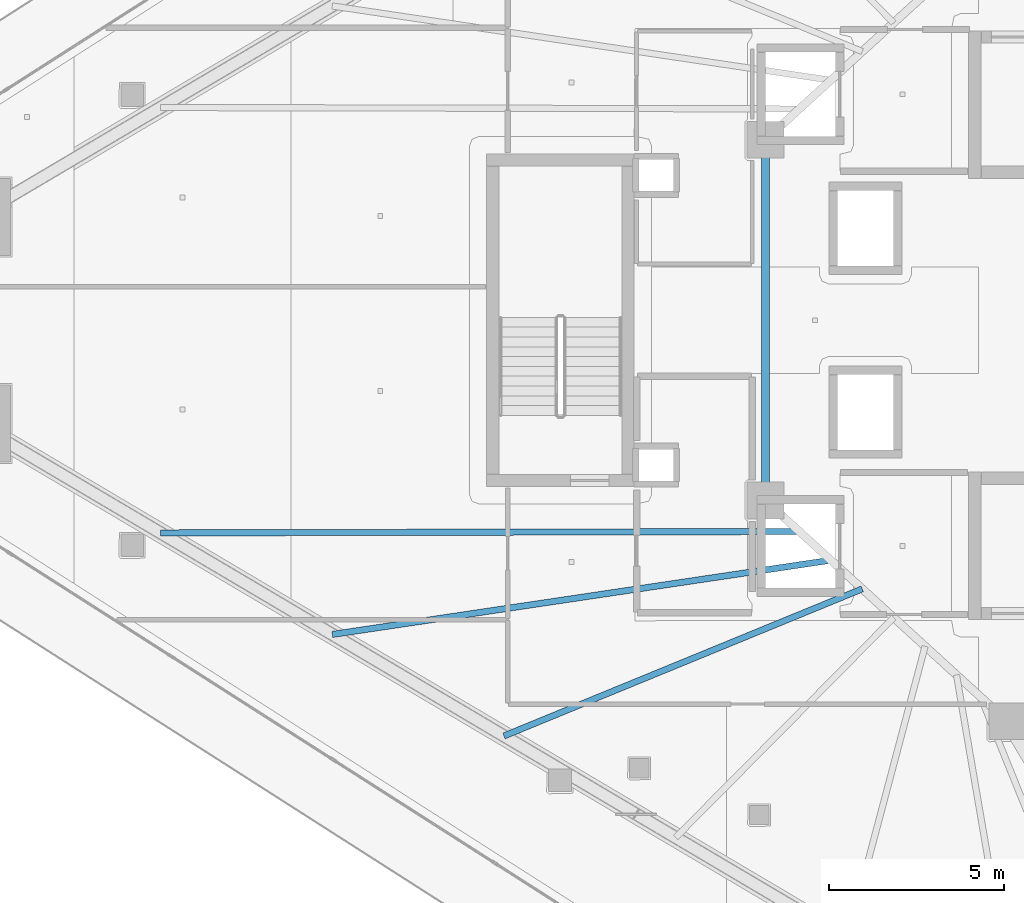
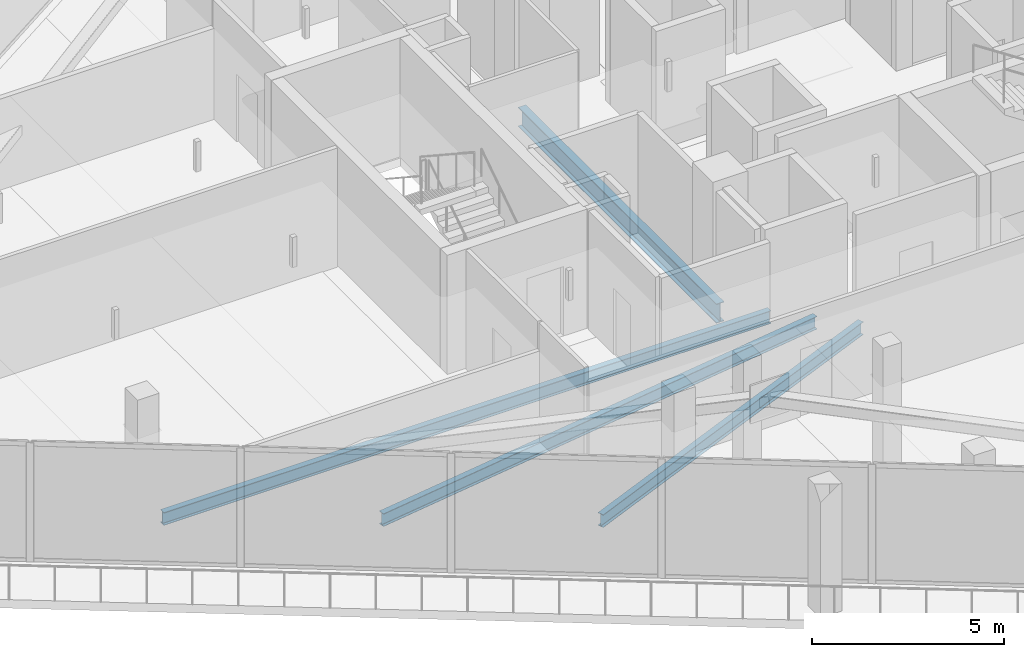
# One storey, part 7 of 43: 4 beams.
"""IFC4 building model written with IfcOpenShell, lengths in metres."""

from ifc_helpers import new_model, si_unit, direction, frame, origin, origin_2d, place, context, subcontext, project, spatial, i_section, extrude, material, material_profile, profile_set, type_object, element, save


model = new_model("IFC4")

# Units and contexts
model_context = context("Model", 3, precision=1e-05, world=origin(), true_north=direction((0.0, 1.0)))
body_context = subcontext(model_context, "Body", "Model", "MODEL_VIEW")
ifc_project = project(units=[si_unit("LENGTHUNIT", "METRE"), si_unit("AREAUNIT", "SQUARE_METRE"), si_unit("VOLUMEUNIT", "CUBIC_METRE"), si_unit("PLANEANGLEUNIT", "RADIAN"), si_unit("MASSUNIT", "GRAM", prefix="KILO")], contexts=[model_context])

# Site, building, storey
site_placement = place(None, origin())
site = spatial("IfcSite", under=ifc_project, at=site_placement, CompositionType="ELEMENT")
building_placement = place(site_placement, origin())
building = spatial("IfcBuilding", under=site, at=building_placement, Name="Qorvath Tower", CompositionType="ELEMENT")
storey_placement = place(building_placement, frame((0.0, 0.0, 150.300048828125)))
storey = spatial("IfcBuildingStorey", under=building, at=storey_placement, Name="L34", CompositionType="ELEMENT", Elevation=150.300048828125)

# Beams
ifc_material_1 = material(Name="Steel ASTM A992 Grade 50", Category="steel")
ifc_material_profile_1 = material_profile(ifc_material_1, i_section(OverallWidth=0.22998046875, OverallDepth=0.616943359375, WebThickness=0.01318359375, FlangeThickness=0.022216796875, FilletRadius=0.014892578125, at=origin_2d()), Name="W24x94")
ifc_profile_set_1 = profile_set([ifc_material_profile_1], Name="Steel ASTM A992 Grade 50")
beam_type_1 = type_object("IfcBeamType", Name="BM-FG6", PredefinedType="BEAM", material=ifc_profile_set_1)
beam_1_placement = place(storey_placement, frame((-30.5, -5.14990234375, -0.57861328125), z_axis=(0.0, 1.0, 0.0), x_axis=(-1.0, 0.0, 0.0)))
element("IfcBeam", 1, at=beam_1_placement, inside=storey, type_object=beam_type_1, Name="Core Ring Girder CC6-CC5 L34", PredefinedType="BEAM", context=body_context, shape_type="SweptSolid", body=[
    extrude(i_section(OverallWidth=0.22998046875, OverallDepth=0.616943359375, WebThickness=0.01318359375, FlangeThickness=0.022216796875, FilletRadius=0.014892578125, at=origin_2d()), origin(), (0.0, 0.0, 1.0), 10.2998046875),
])
ifc_material_2 = material(Name="Steel ASTM A992 Grade 50", Category="steel")
ifc_material_profile_2 = material_profile(ifc_material_2, i_section(OverallWidth=0.177978515625, OverallDepth=0.406005859375, WebThickness=0.0078125, FlangeThickness=0.0126953125, FilletRadius=0.010986328125, at=origin_2d()), Name="W16x40")
ifc_profile_set_2 = profile_set([ifc_material_profile_2], Name="Steel ASTM A992 Grade 50")
beam_type_2 = type_object("IfcBeamType", Name="BM-FJ3", PredefinedType="JOIST", material=ifc_profile_set_2)
beam_2_placement = place(storey_placement, frame((-29.533935546875, -6.031982421875, -0.47314453125), z_axis=(-0.999997589883, -0.002195501951, 0.0), x_axis=(0.002195501951, -0.999997589883, 0.0)))
element("IfcBeam", 2, at=beam_2_placement, inside=storey, type_object=beam_type_2, Name="Composite Floor Joist SW1 L34", PredefinedType="JOIST", context=body_context, shape_type="SweptSolid", body=[
    extrude(i_section(OverallWidth=0.177978515625, OverallDepth=0.406005859375, WebThickness=0.0078125, FlangeThickness=0.0126953125, FilletRadius=0.010986328125, at=origin_2d()), origin(), (0.0, 0.0, 1.0), 18.23681640625),
])
beam_3_placement = place(storey_placement, frame((-28.636962890625, -6.85107421875, -0.47314453125), z_axis=(-0.989092860328, -0.147293291256, 0.0), x_axis=(0.147293291256, -0.989092860328, 0.0)))
element("IfcBeam", 3, at=beam_3_placement, inside=storey, type_object=beam_type_2, Name="Composite Floor Joist SW2 L34", PredefinedType="JOIST", context=body_context, shape_type="SweptSolid", body=[
    extrude(i_section(OverallWidth=0.177978515625, OverallDepth=0.406005859375, WebThickness=0.0078125, FlangeThickness=0.0126953125, FilletRadius=0.010986328125, at=origin_2d()), origin(), (0.0, 0.0, 1.0), 14.388916015625),
])
beam_4_placement = place(storey_placement, frame((-27.739990234375, -7.669921875, -0.47314453125), z_axis=(-0.925068176006, -0.379801092338, 0.0), x_axis=(0.379801092338, -0.925068176006, 0.0)))
element("IfcBeam", 4, at=beam_4_placement, inside=storey, type_object=beam_type_2, Name="Composite Floor Joist SW3 L34", PredefinedType="JOIST", context=body_context, shape_type="SweptSolid", body=[
    extrude(i_section(OverallWidth=0.177978515625, OverallDepth=0.406005859375, WebThickness=0.0078125, FlangeThickness=0.0126953125, FilletRadius=0.010986328125, at=origin_2d()), origin(), (0.0, 0.0, 1.0), 11.0556640625),
])

save(model, "model.ifc")
